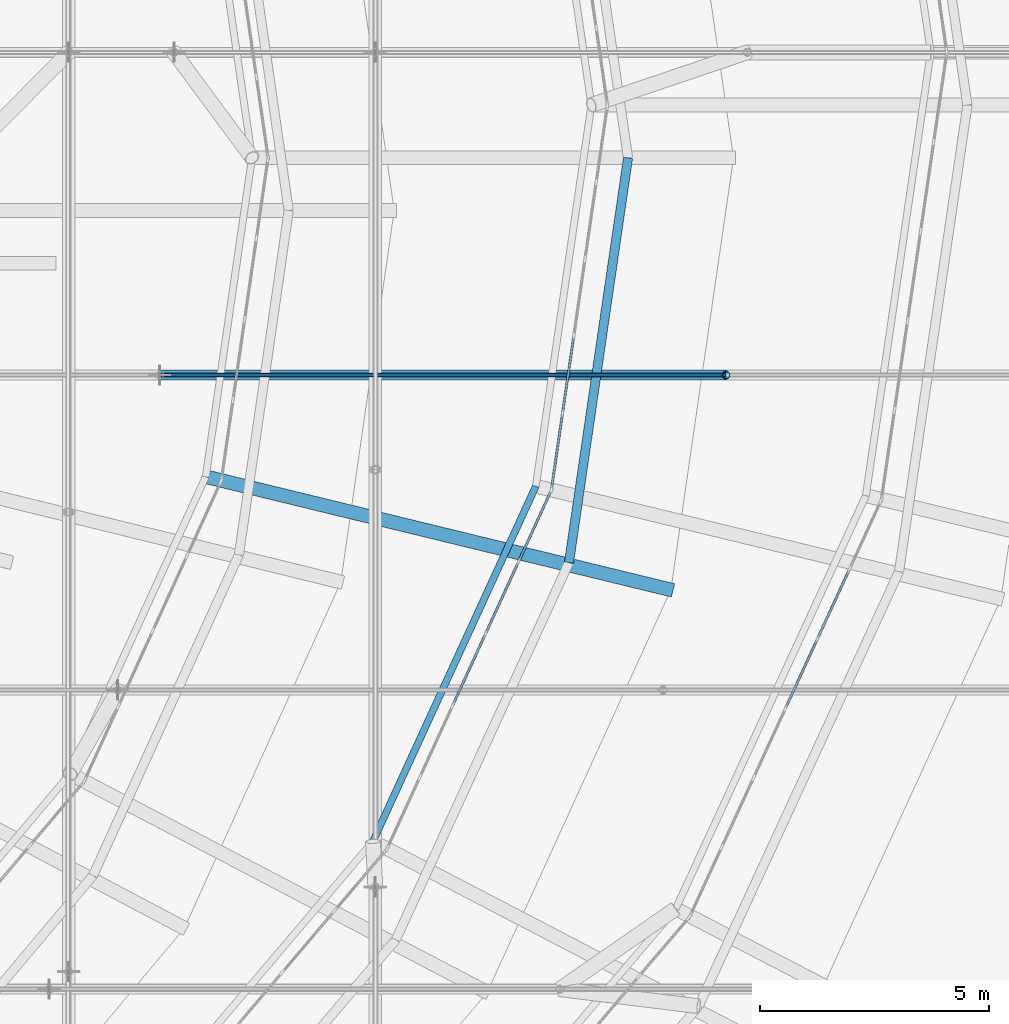
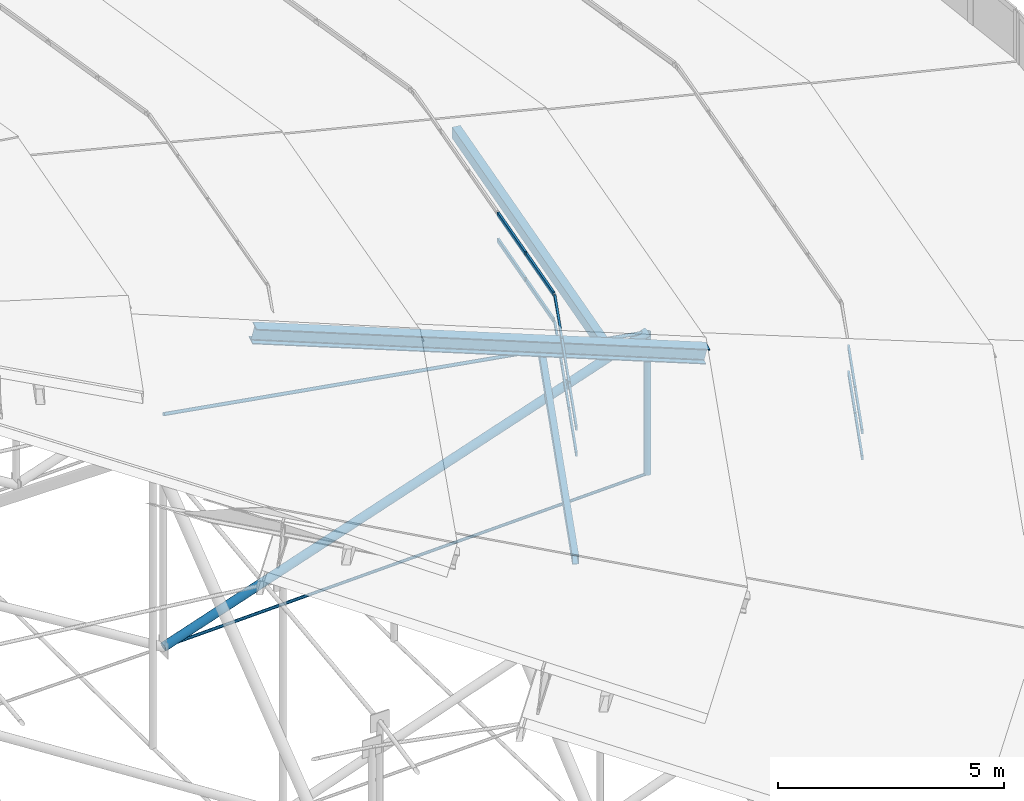
# One storey, part 89 of 173: 21 members, 3 elements without a shape of their own.
"""IFC4 building model written with IfcOpenShell, lengths in metres."""

from ifc_helpers import new_model, si_unit, direction, frame, origin, origin_2d, place, context, subcontext, project, spatial, rectangle, hollow_rectangle, circle, hollow_circle, i_section, extrude, material, material_profile, profile_set, type_object, element, aggregate, save


model = new_model("IFC4")

# Units and contexts
model_context = context("Model", 3, precision=1e-05, world=origin(), true_north=direction((0.0, 1.0)))
body_context = subcontext(model_context, "Body", "Model", "MODEL_VIEW")
ifc_project = project(units=[si_unit("LENGTHUNIT", "METRE"), si_unit("AREAUNIT", "SQUARE_METRE"), si_unit("VOLUMEUNIT", "CUBIC_METRE"), si_unit("PLANEANGLEUNIT", "RADIAN"), si_unit("MASSUNIT", "GRAM", prefix="KILO")], contexts=[model_context])

# Site, building, storey
site_placement = place(None, origin())
site = spatial("IfcSite", under=ifc_project, at=site_placement, CompositionType="ELEMENT")
building_placement = place(site_placement, origin())
building = spatial("IfcBuilding", under=site, at=building_placement, Name="Glasvene Arena", CompositionType="ELEMENT")
storey_placement = place(building_placement, frame((0.0, 0.0, 28.800048828125)))
storey = spatial("IfcBuildingStorey", under=building, at=storey_placement, Name="RF", CompositionType="ELEMENT", Elevation=28.800048828125)

# Curtain wall, members
ifc_material_1 = material(Name="Low-emissivity laminated double glazing", Category="glass")
curtain_wall_type_1 = type_object("IfcCurtainWallType", Name="CW-PET1-1001x75", PredefinedType="USERDEFINED", material=ifc_material_1)
curtain_wall_1_placement = place(storey_placement, frame((128.2431640625, 54.14990234375, 0.0)))
curtain_wall_1 = element("IfcCurtainWall", 1, at=curtain_wall_1_placement, inside=storey, type_object=curtain_wall_type_1, Name="Petal ring 1-2 clerestory curtain wall 23", ObjectType="CURTAIN WALL", PredefinedType="USERDEFINED")
ifc_material_2 = material(Name="Anodised architectural aluminium", Category="aluminium")
ifc_material_profile_1 = material_profile(ifc_material_2, rectangle(XDim=0.050048828125, YDim=0.1201171875, at=origin_2d()), Name="ALU TRANSOM 50x120")
ifc_profile_set_1 = profile_set([ifc_material_profile_1], Name="Anodised architectural aluminium")
member_type_1 = type_object("IfcMemberType", Name="CW-TRN-120", PredefinedType="USERDEFINED", material=ifc_profile_set_1)
member_1_placement = place(storey_placement, frame((130.343994140625, 58.718994140625, 2.60498046875), z_axis=(0.417823409802, 0.908528259451, 0.0), x_axis=(-0.908528259451, 0.417823409802, 0.0)))
member_1 = element("IfcMember", 2, at=member_1_placement, type_object=member_type_1, Name="CW-082 transom 4.1", ObjectType="TRANSOM", PredefinedType="USERDEFINED", context=body_context, shape_type="SweptSolid", body=[
    extrude(rectangle(XDim=0.050048828125, YDim=0.1201171875, at=origin_2d()), origin(), (0.0, 0.0, 1.0), 1.617919921875),
])
member_2_placement = place(storey_placement, frame((130.343994140625, 58.718994140625, 3.304931640625), z_axis=(0.417823409802, 0.908528259451, 0.0), x_axis=(-0.908528259451, 0.417823409802, 0.0)))
member_2 = element("IfcMember", 3, at=member_2_placement, type_object=member_type_1, Name="CW-082 transom 4.2", ObjectType="TRANSOM", PredefinedType="USERDEFINED", context=body_context, shape_type="SweptSolid", body=[
    extrude(rectangle(XDim=0.050048828125, YDim=0.1201171875, at=origin_2d()), origin(), (0.0, 0.0, 1.0), 1.617919921875),
])
member_3_placement = place(storey_placement, frame((131.040771484375, 60.234375, 2.60498046875), z_axis=(0.417823409802, 0.908528259451, 0.0), x_axis=(-0.908528259451, 0.417823409802, 0.0)))
member_3 = element("IfcMember", 4, at=member_3_placement, type_object=member_type_1, Name="CW-082 transom 5.1", ObjectType="TRANSOM", PredefinedType="USERDEFINED", context=body_context, shape_type="SweptSolid", body=[
    extrude(rectangle(XDim=0.050048828125, YDim=0.1201171875, at=origin_2d()), origin(), (0.0, 0.0, 1.0), 1.617919921875),
])
member_4_placement = place(storey_placement, frame((131.040771484375, 60.234375, 3.304931640625), z_axis=(0.417823409802, 0.908528259451, 0.0), x_axis=(-0.908528259451, 0.417823409802, 0.0)))
member_4 = element("IfcMember", 5, at=member_4_placement, type_object=member_type_1, Name="CW-082 transom 5.2", ObjectType="TRANSOM", PredefinedType="USERDEFINED", context=body_context, shape_type="SweptSolid", body=[
    extrude(rectangle(XDim=0.050048828125, YDim=0.1201171875, at=origin_2d()), origin(), (0.0, 0.0, 1.0), 1.617919921875),
])
aggregate(curtain_wall_1, [member_1, member_2, member_3, member_4])

curtain_wall_type_2 = type_object("IfcCurtainWallType", Name="CW-PET2-861x75", PredefinedType="USERDEFINED", material=ifc_material_1)
curtain_wall_2_placement = place(storey_placement, frame((121.640380859375, 55.625, 0.0)))
curtain_wall_2 = element("IfcCurtainWall", 6, at=curtain_wall_2_placement, inside=storey, type_object=curtain_wall_type_2, Name="Petal ring 2-3 clerestory curtain wall 23", ObjectType="CURTAIN WALL", PredefinedType="USERDEFINED")
member_5_placement = place(storey_placement, frame((123.085205078125, 58.7783203125, 5.204833984375), z_axis=(0.416639624977, 0.909071736938, 0.0), x_axis=(-0.909071736938, 0.416639624977, 0.0)))
member_5 = element("IfcMember", 7, at=member_5_placement, type_object=member_type_1, Name="CW-088 transom 3.1", ObjectType="TRANSOM", PredefinedType="USERDEFINED", context=body_context, shape_type="SweptSolid", body=[
    extrude(rectangle(XDim=0.050048828125, YDim=0.1201171875, at=origin_2d()), origin(), (0.0, 0.0, 1.0), 1.671875),
])
member_6_placement = place(storey_placement, frame((123.085205078125, 58.7783203125, 5.905029296875), z_axis=(0.416639624977, 0.909071736938, 0.0), x_axis=(-0.909071736938, 0.416639624977, 0.0)))
member_6 = element("IfcMember", 8, at=member_6_placement, type_object=member_type_1, Name="CW-088 transom 3.2", ObjectType="TRANSOM", PredefinedType="USERDEFINED", context=body_context, shape_type="SweptSolid", body=[
    extrude(rectangle(XDim=0.050048828125, YDim=0.1201171875, at=origin_2d()), origin(), (0.0, 0.0, 1.0), 1.671875),
])
member_7_placement = place(storey_placement, frame((123.802490234375, 60.343505859375, 5.204833984375), z_axis=(0.416639624977, 0.909071736938, 0.0), x_axis=(-0.909071736938, 0.416639624977, 0.0)))
member_7 = element("IfcMember", 9, at=member_7_placement, type_object=member_type_1, Name="CW-088 transom 4.1", ObjectType="TRANSOM", PredefinedType="USERDEFINED", context=body_context, shape_type="SweptSolid", body=[
    extrude(rectangle(XDim=0.050048828125, YDim=0.1201171875, at=origin_2d()), origin(), (0.0, 0.0, 1.0), 1.671875),
])
member_8_placement = place(storey_placement, frame((123.802490234375, 60.343505859375, 5.905029296875), z_axis=(0.416639624977, 0.909071736938, 0.0), x_axis=(-0.909071736938, 0.416639624977, 0.0)))
member_8 = element("IfcMember", 10, at=member_8_placement, type_object=member_type_1, Name="CW-088 transom 4.2", ObjectType="TRANSOM", PredefinedType="USERDEFINED", context=body_context, shape_type="SweptSolid", body=[
    extrude(rectangle(XDim=0.050048828125, YDim=0.1201171875, at=origin_2d()), origin(), (0.0, 0.0, 1.0), 1.671875),
])
member_9_placement = place(storey_placement, frame((124.519775390625, 61.90869140625, 5.204833984375), z_axis=(0.416593451122, 0.909092897609, 0.0), x_axis=(-0.909092897609, 0.416593451122, 0.0)))
member_9 = element("IfcMember", 11, at=member_9_placement, type_object=member_type_1, Name="CW-088 transom 5.1", ObjectType="TRANSOM", PredefinedType="USERDEFINED", context=body_context, shape_type="SweptSolid", body=[
    extrude(rectangle(XDim=0.050048828125, YDim=0.1201171875, at=origin_2d()), origin(), (0.0, 0.0, 1.0), 1.646728515625),
])
member_10_placement = place(storey_placement, frame((124.519775390625, 61.90869140625, 5.905029296875), z_axis=(0.416593451122, 0.909092897609, 0.0), x_axis=(-0.909092897609, 0.416593451122, 0.0)))
member_10 = element("IfcMember", 12, at=member_10_placement, type_object=member_type_1, Name="CW-088 transom 5.2", ObjectType="TRANSOM", PredefinedType="USERDEFINED", context=body_context, shape_type="SweptSolid", body=[
    extrude(rectangle(XDim=0.050048828125, YDim=0.1201171875, at=origin_2d()), origin(), (0.0, 0.0, 1.0), 1.646728515625),
])
aggregate(curtain_wall_2, [member_5, member_6, member_7, member_8, member_9, member_10])

curtain_wall_type_3 = type_object("IfcCurtainWallType", Name="CW-PET2-849x75", PredefinedType="USERDEFINED", material=ifc_material_1)
curtain_wall_3_placement = place(storey_placement, frame((125.226806640625, 63.451416015625, 0.0)))
curtain_wall_3 = element("IfcCurtainWall", 13, at=curtain_wall_3_placement, inside=storey, type_object=curtain_wall_type_3, Name="Petal ring 2-3 clerestory curtain wall 24", ObjectType="CURTAIN WALL", PredefinedType="USERDEFINED")
member_11_placement = place(storey_placement, frame((125.23388671875, 63.500732421875, 5.204833984375), z_axis=(0.144159545441, 0.989554458056, 0.0), x_axis=(-0.989554458056, 0.144159545441, 0.0)))
member_11 = element("IfcMember", 14, at=member_11_placement, type_object=member_type_1, Name="CW-087 transom 1.1", ObjectType="TRANSOM", PredefinedType="USERDEFINED", context=body_context, shape_type="SweptSolid", body=[
    extrude(rectangle(XDim=0.050048828125, YDim=0.1201171875, at=origin_2d()), origin(), (0.0, 0.0, 1.0), 1.622314453125),
])
member_12_placement = place(storey_placement, frame((125.23388671875, 63.500732421875, 5.905029296875), z_axis=(0.144159545441, 0.989554458056, 0.0), x_axis=(-0.989554458056, 0.144159545441, 0.0)))
member_12 = element("IfcMember", 15, at=member_12_placement, type_object=member_type_1, Name="CW-087 transom 1.2", ObjectType="TRANSOM", PredefinedType="USERDEFINED", context=body_context, shape_type="SweptSolid", body=[
    extrude(rectangle(XDim=0.050048828125, YDim=0.1201171875, at=origin_2d()), origin(), (0.0, 0.0, 1.0), 1.622314453125),
])
member_13_placement = place(storey_placement, frame((125.474853515625, 65.15576171875, 5.204833984375), z_axis=(0.144179933735, 0.989551487649, 0.0), x_axis=(-0.989551487649, 0.144179933735, 0.0)))
member_13 = element("IfcMember", 16, at=member_13_placement, type_object=member_type_1, Name="CW-087 transom 2.1", ObjectType="TRANSOM", PredefinedType="USERDEFINED", context=body_context, shape_type="SweptSolid", body=[
    extrude(rectangle(XDim=0.050048828125, YDim=0.1201171875, at=origin_2d()), origin(), (0.0, 0.0, 1.0), 1.647705078125),
])
member_14_placement = place(storey_placement, frame((125.474853515625, 65.15576171875, 5.905029296875), z_axis=(0.144179933735, 0.989551487649, 0.0), x_axis=(-0.989551487649, 0.144179933735, 0.0)))
member_14 = element("IfcMember", 17, at=member_14_placement, type_object=member_type_1, Name="CW-087 transom 2.2", ObjectType="TRANSOM", PredefinedType="USERDEFINED", context=body_context, shape_type="SweptSolid", body=[
    extrude(rectangle(XDim=0.050048828125, YDim=0.1201171875, at=origin_2d()), origin(), (0.0, 0.0, 1.0), 1.647705078125),
])
aggregate(curtain_wall_3, [member_11, member_12, member_13, member_14])

# Members
ifc_material_3 = material(Name="High-strength steel spiral strand S460", Category="steel")
ifc_material_profile_2 = material_profile(ifc_material_3, circle(Radius=0.03759765625, at=origin_2d()), Name="LCSS D75")
ifc_profile_set_2 = profile_set([ifc_material_profile_2], Name="High-strength steel spiral strand S460")
member_type_2 = type_object("IfcMemberType", Name="MB-CABLE-75", PredefinedType="USERDEFINED", material=ifc_profile_set_2)
member_15_placement = place(storey_placement, frame((116.692138671875, 65.96044921875, -2.112548828125), z_axis=(0.99957662633, 0.0, 0.029095843266), x_axis=(0.0, 1.0, 0.0)))
element("IfcMember", 18, at=member_15_placement, inside=storey, type_object=member_type_2, Name="Lower stabilization roof cable EW03-07", ObjectType="ROOF CABLE", PredefinedType="USERDEFINED", context=body_context, shape_type="SweptSolid", body=[
    extrude(circle(Radius=0.03759765625, at=origin_2d()), origin(), (0.0, 0.0, 1.0), 12.351318359375),
])
ifc_material_profile_3 = material_profile(ifc_material_3, circle(Radius=0.044921875, at=origin_2d()), Name="LCSS D90")
ifc_profile_set_3 = profile_set([ifc_material_profile_3], Name="High-strength steel spiral strand S460")
member_type_3 = type_object("IfcMemberType", Name="MB-CABLE-90", PredefinedType="USERDEFINED", material=ifc_profile_set_3)
member_16_placement = place(storey_placement, frame((116.692138671875, 65.96044921875, 4.1669921875), z_axis=(0.985761969156, 0.0, -0.168146781608), x_axis=(0.0, 1.0, 0.0)))
element("IfcMember", 19, at=member_16_placement, inside=storey, type_object=member_type_3, Name="Upper lens roof cable EW03-07", ObjectType="ROOF CABLE", PredefinedType="USERDEFINED", context=body_context, shape_type="SweptSolid", body=[
    extrude(circle(Radius=0.044921875, at=origin_2d()), origin(), (0.0, 0.0, 1.0), 12.5244140625),
])
ifc_material_4 = material(Name="Steel S355J2", Category="steel")
ifc_material_profile_4 = material_profile(ifc_material_4, i_section(OverallWidth=0.300048828125, OverallDepth=0.39990234375, WebThickness=0.013427734375, FlangeThickness=0.02392578125, FilletRadius=0.027099609375, at=origin_2d()), Name="HEB 400")
ifc_profile_set_4 = profile_set([ifc_material_profile_4], Name="Steel S355J2")
member_type_4 = type_object("IfcMemberType", Name="MB-CHORD-HEB400", PredefinedType="CHORD", material=ifc_profile_set_4)
member_17_placement = place(storey_placement, frame((127.83349609375, 61.279052734375, 4.75), z_axis=(-0.942863727983, 0.229326828452, 0.241696496059), x_axis=(-0.236333673575, -0.971671958397, 0.0)))
element("IfcMember", 20, at=member_17_placement, inside=storey, type_object=member_type_4, Name="Petal ring 3 radial rib 24", PredefinedType="CHORD", context=body_context, shape_type="SweptSolid", body=[
    extrude(i_section(OverallWidth=0.300048828125, OverallDepth=0.39990234375, WebThickness=0.013427734375, FlangeThickness=0.02392578125, FilletRadius=0.027099609375, at=origin_2d()), origin(), (0.0, 0.0, 1.0), 10.756591796875),
])
ifc_material_profile_5 = material_profile(ifc_material_4, hollow_rectangle(XDim=0.14990234375, YDim=0.25, WallThickness=0.010009765625, at=origin_2d()), Name="RHS 250x150x10.0")
ifc_profile_set_5 = profile_set([ifc_material_profile_5], Name="Steel S355J2")
member_type_5 = type_object("IfcMemberType", Name="MB-PURLIN-RHS250", PredefinedType="PURLIN", material=ifc_profile_set_5)
member_18_placement = place(storey_placement, frame((121.337158203125, 55.792724609375, 4.781982421875), z_axis=(0.416805653685, 0.908995625433, 0.0), x_axis=(-0.908995625433, 0.416805653685, 0.0)))
element("IfcMember", 21, at=member_18_placement, inside=storey, type_object=member_type_5, Name="Petal ring 2 ridge purlin 23", PredefinedType="PURLIN", context=body_context, shape_type="SweptSolid", body=[
    extrude(hollow_rectangle(XDim=0.14990234375, YDim=0.25, WallThickness=0.010009765625, at=origin_2d()), origin(), (0.0, 0.0, 1.0), 8.520751953125),
])
ifc_material_profile_6 = material_profile(ifc_material_4, hollow_rectangle(XDim=0.199951171875, YDim=0.300048828125, WallThickness=0.012451171875, at=origin_2d()), Name="RHS 300x200x12.5")
ifc_profile_set_6 = profile_set([ifc_material_profile_6], Name="Steel S355J2")
member_type_6 = type_object("IfcMemberType", Name="MB-PURLIN-RHS300", PredefinedType="PURLIN", material=ifc_profile_set_6)
member_19_placement = place(storey_placement, frame((125.612060546875, 61.874267578125, 5.33935546875), z_axis=(0.144390650725, 0.989520762785, 0.0), x_axis=(-0.989520762785, 0.144390650725, 0.0)))
element("IfcMember", 22, at=member_19_placement, inside=storey, type_object=member_type_6, Name="Petal ring 3 outer purlin 24", PredefinedType="PURLIN", context=body_context, shape_type="SweptSolid", body=[
    extrude(hollow_rectangle(XDim=0.199951171875, YDim=0.300048828125, WallThickness=0.012451171875, at=origin_2d()), origin(), (0.0, 0.0, 1.0), 8.919189453125),
])
ifc_material_profile_7 = material_profile(ifc_material_4, hollow_circle(Radius=0.084228515625, WallThickness=0.008056640625, at=origin_2d()), Name="CHS 168.3x8.0")
ifc_profile_set_7 = profile_set([ifc_material_profile_7], Name="Steel S355J2")
member_type_7 = type_object("IfcMemberType", Name="MB-WEB-CHS168", PredefinedType="BRACE", material=ifc_profile_set_7)
member_20_placement = place(storey_placement, frame((129.038330078125, 65.96044921875, -1.753173828125), z_axis=(0.0, 0.0, 1.0), x_axis=(1.0, 0.0, 0.0)))
element("IfcMember", 23, at=member_20_placement, inside=storey, type_object=member_type_7, Name="Cable-truss vertical strut EW03-07", PredefinedType="BRACE", context=body_context, shape_type="SweptSolid", body=[
    extrude(hollow_circle(Radius=0.084228515625, WallThickness=0.008056640625, at=origin_2d()), origin(), (0.0, 0.0, 1.0), 3.814208984375),
])
ifc_material_profile_8 = material_profile(ifc_material_4, hollow_circle(Radius=0.109619140625, WallThickness=0.010009765625, at=origin_2d()), Name="CHS 219.1x10.0")
ifc_profile_set_8 = profile_set([ifc_material_profile_8], Name="Steel S355J2")
member_type_8 = type_object("IfcMemberType", Name="MB-WEB-CHS219", PredefinedType="BRACE", material=ifc_profile_set_8)
member_21_placement = place(storey_placement, frame((116.692138671875, 65.96044921875, -2.112548828125), z_axis=(0.947335367917, 0.0, 0.320243189926), x_axis=(0.0, 1.0, 0.0)))
element("IfcMember", 24, at=member_21_placement, inside=storey, type_object=member_type_8, Name="Cable-truss diagonal web strut EW03-07", PredefinedType="BRACE", context=body_context, shape_type="SweptSolid", body=[
    extrude(hollow_circle(Radius=0.109619140625, WallThickness=0.010009765625, at=origin_2d()), origin(), (0.0, 0.0, 1.0), 13.032470703125),
])

save(model, "model.ifc")
